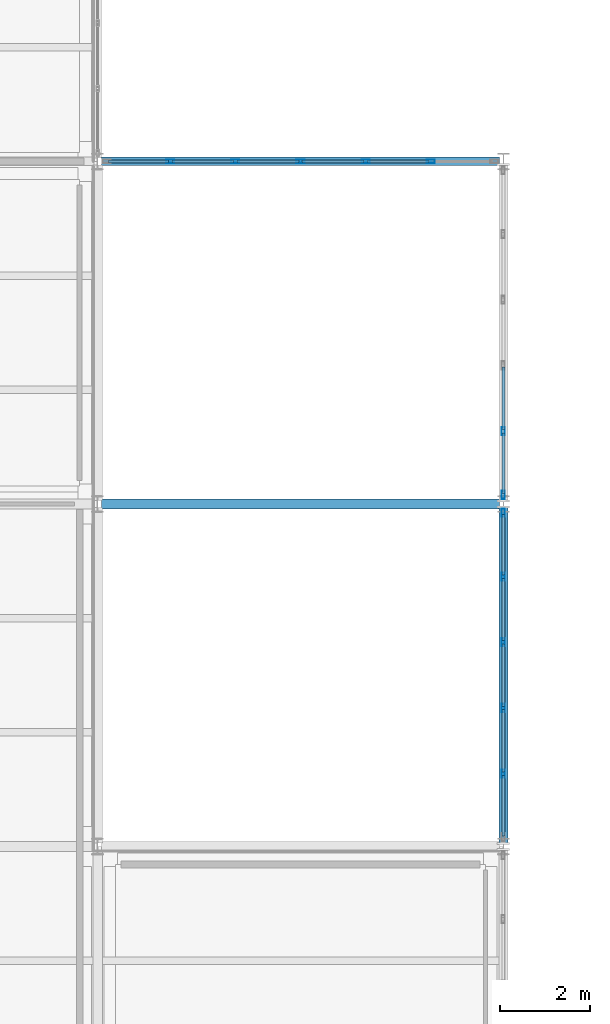
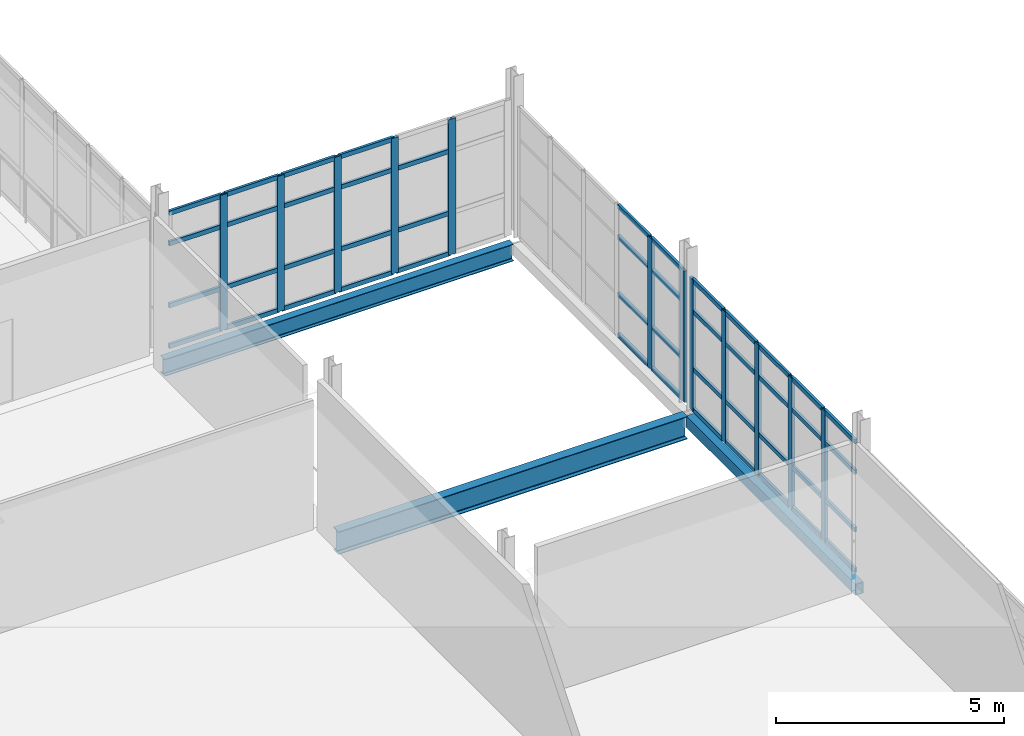
# One storey, part 61 of 174: 59 members, 3 beams, 3 elements without a shape of their own.
"""IFC4 building model written with IfcOpenShell, lengths in metres."""

from ifc_helpers import new_model, si_unit, direction, frame, origin, origin_2d, place, context, subcontext, project, spatial, hollow_rectangle, i_section, extrude, material, material_profile, profile_set, type_object, element, aggregate, save


model = new_model("IFC4")

# Units and contexts
model_context = context("Model", 3, precision=1e-05, world=origin(), true_north=direction((0.0, 1.0)))
body_context = subcontext(model_context, "Body", "Model", "MODEL_VIEW")
ifc_project = project(units=[si_unit("LENGTHUNIT", "METRE"), si_unit("AREAUNIT", "SQUARE_METRE"), si_unit("VOLUMEUNIT", "CUBIC_METRE"), si_unit("PLANEANGLEUNIT", "RADIAN"), si_unit("MASSUNIT", "GRAM", prefix="KILO")], contexts=[model_context])

# Site, building, storey
site_placement = place(None, origin())
site = spatial("IfcSite", under=ifc_project, at=site_placement, CompositionType="ELEMENT")
building_placement = place(site_placement, origin())
building = spatial("IfcBuilding", under=site, at=building_placement, Name="Caisbarro Railhouse Central Library", CompositionType="ELEMENT")
storey_placement = place(building_placement, frame((0.0, 0.0, 5.0400390625)))
storey = spatial("IfcBuildingStorey", under=building, at=storey_placement, Name="L01", CompositionType="ELEMENT", Elevation=5.0400390625)

# Beams
ifc_material_1 = material(Name="Steel ASTM A572 Grade 50", Category="steel")
ifc_material_profile_1 = material_profile(ifc_material_1, i_section(OverallWidth=0.22802734375, OverallDepth=0.60791015625, WebThickness=0.01123046875, FlangeThickness=0.017333984375, FilletRadius=0.02197265625, at=origin_2d()), Name="W610X113.0")
ifc_profile_set_1 = profile_set([ifc_material_profile_1], Name="Steel ASTM A572 Grade 50")
beam_type_1 = type_object("IfcBeamType", Name="BM-G04", PredefinedType="BEAM", material=ifc_profile_set_1)
beam_1_placement = place(storey_placement, frame((63.080078125, 53.199951171875, -0.52392578125), z_axis=(1.0, 0.0, 0.0), x_axis=(0.0, 1.0, 0.0)))
element("IfcBeam", 1, at=beam_1_placement, inside=storey, type_object=beam_type_1, Name="G04 beam L01 #816", PredefinedType="BEAM", context=body_context, shape_type="SweptSolid", body=[
    extrude(i_section(OverallWidth=0.22802734375, OverallDepth=0.60791015625, WebThickness=0.01123046875, FlangeThickness=0.017333984375, FilletRadius=0.02197265625, at=origin_2d()), origin(), (0.0, 0.0, 1.0), 8.83984375),
])
ifc_material_profile_2 = material_profile(ifc_material_1, i_section(OverallWidth=0.18994140625, OverallDepth=0.45703125, WebThickness=0.009033203125, FlangeThickness=0.014404296875, FilletRadius=0.01806640625, at=origin_2d()), Name="W460X74.0")
ifc_profile_set_2 = profile_set([ifc_material_profile_2], Name="Steel ASTM A572 Grade 50")
beam_type_2 = type_object("IfcBeamType", Name="BM-SP01", PredefinedType="SPANDREL", material=ifc_profile_set_2)
beam_2_placement = place(storey_placement, frame((63.080078125, 60.800048828125, -0.448486328125), z_axis=(1.0, 0.0, 0.0), x_axis=(0.0, 1.0, 0.0)))
element("IfcBeam", 2, at=beam_2_placement, inside=storey, type_object=beam_type_2, Name="SP01 beam L01 #824", PredefinedType="SPANDREL", context=body_context, shape_type="SweptSolid", body=[
    extrude(i_section(OverallWidth=0.18994140625, OverallDepth=0.45703125, WebThickness=0.009033203125, FlangeThickness=0.014404296875, FilletRadius=0.01806640625, at=origin_2d()), origin(), (0.0, 0.0, 1.0), 8.83984375),
])
ifc_material_profile_3 = material_profile(ifc_material_1, hollow_rectangle(XDim=0.199951171875, YDim=0.300048828125, WallThickness=0.012451171875, at=origin_2d()), Name="HSS300X200X12.5")
ifc_profile_set_3 = profile_set([ifc_material_profile_3], Name="Steel ASTM A572 Grade 50")
beam_type_3 = type_object("IfcBeamType", Name="BM-SP02", PredefinedType="SPANDREL", material=ifc_profile_set_3)
beam_3_placement = place(storey_placement, frame((72.0, 45.679931640625, -0.3701171875), z_axis=(0.0, 1.0, 0.0), x_axis=(-1.0, 0.0, 0.0)))
element("IfcBeam", 3, at=beam_3_placement, inside=storey, type_object=beam_type_3, Name="SP02 beam L01 #855", PredefinedType="SPANDREL", context=body_context, shape_type="SweptSolid", body=[
    extrude(hollow_rectangle(XDim=0.199951171875, YDim=0.300048828125, WallThickness=0.012451171875, at=origin_2d()), origin(), (0.0, 0.0, 1.0), 7.440185546875),
])

# Curtain wall, members
ifc_material_2 = material(Name="Anodised architectural aluminium", Category="aluminium")
curtain_wall_type = type_object("IfcCurtainWallType", Name="CW-CW02", PredefinedType="NOTDEFINED", material=ifc_material_2)
curtain_wall_1_placement = place(storey_placement, origin())
curtain_wall_1 = element("IfcCurtainWall", 4, at=curtain_wall_1_placement, inside=storey, type_object=curtain_wall_type, Name="CW02 curtain wall L01 #19", PredefinedType="NOTDEFINED")
ifc_material_profile_4 = material_profile(ifc_material_2, hollow_rectangle(XDim=0.074951171875, YDim=0.179931640625, WallThickness=0.00439453125, at=origin_2d()), Name="ALU-MUL-75X180")
ifc_profile_set_4 = profile_set([ifc_material_profile_4], Name="Anodised architectural aluminium")
member_type_1 = type_object("IfcMemberType", Name="CWM-M01", PredefinedType="MULLION", material=ifc_profile_set_4)
member_1_placement = place(storey_placement, frame((64.606689453125, 60.800048828125, 0.0), z_axis=(0.0, 0.0, 1.0), x_axis=(0.0, 1.0, 0.0)))
member_1 = element("IfcMember", 5, at=member_1_placement, type_object=member_type_1, Name="CW02 mullion 2", PredefinedType="MULLION", context=body_context, shape_type="SweptSolid", body=[
    extrude(hollow_rectangle(XDim=0.074951171875, YDim=0.179931640625, WallThickness=0.00439453125, at=origin_2d()), origin(), (0.0, 0.0, 1.0), 3.6298828125),
])
member_2_placement = place(storey_placement, frame((66.05322265625, 60.800048828125, 0.0), z_axis=(0.0, 0.0, 1.0), x_axis=(0.0, 1.0, 0.0)))
member_2 = element("IfcMember", 6, at=member_2_placement, type_object=member_type_1, Name="CW02 mullion 3", PredefinedType="MULLION", context=body_context, shape_type="SweptSolid", body=[
    extrude(hollow_rectangle(XDim=0.074951171875, YDim=0.179931640625, WallThickness=0.00439453125, at=origin_2d()), origin(), (0.0, 0.0, 1.0), 3.6298828125),
])
member_3_placement = place(storey_placement, frame((67.5, 60.800048828125, 0.0), z_axis=(0.0, 0.0, 1.0), x_axis=(0.0, 1.0, 0.0)))
member_3 = element("IfcMember", 7, at=member_3_placement, type_object=member_type_1, Name="CW02 mullion 4", PredefinedType="MULLION", context=body_context, shape_type="SweptSolid", body=[
    extrude(hollow_rectangle(XDim=0.074951171875, YDim=0.179931640625, WallThickness=0.00439453125, at=origin_2d()), origin(), (0.0, 0.0, 1.0), 3.6298828125),
])
member_4_placement = place(storey_placement, frame((68.94677734375, 60.800048828125, 0.0), z_axis=(0.0, 0.0, 1.0), x_axis=(0.0, 1.0, 0.0)))
member_4 = element("IfcMember", 8, at=member_4_placement, type_object=member_type_1, Name="CW02 mullion 5", PredefinedType="MULLION", context=body_context, shape_type="SweptSolid", body=[
    extrude(hollow_rectangle(XDim=0.074951171875, YDim=0.179931640625, WallThickness=0.00439453125, at=origin_2d()), origin(), (0.0, 0.0, 1.0), 3.6298828125),
])
member_5_placement = place(storey_placement, frame((70.393310546875, 60.800048828125, 0.0), z_axis=(0.0, 0.0, 1.0), x_axis=(0.0, 1.0, 0.0)))
member_5 = element("IfcMember", 9, at=member_5_placement, type_object=member_type_1, Name="CW02 mullion 6", PredefinedType="MULLION", context=body_context, shape_type="SweptSolid", body=[
    extrude(hollow_rectangle(XDim=0.074951171875, YDim=0.179931640625, WallThickness=0.00439453125, at=origin_2d()), origin(), (0.0, 0.0, 1.0), 3.6298828125),
])

curtain_wall_2_placement = place(storey_placement, origin())
curtain_wall_2 = element("IfcCurtainWall", 10, at=curtain_wall_2_placement, inside=storey, type_object=curtain_wall_type, Name="CW02 curtain wall L01 #32", PredefinedType="NOTDEFINED")
member_6_placement = place(storey_placement, frame((72.0, 47.216064453125, 0.0), z_axis=(0.0, 0.0, 1.0), x_axis=(-1.0, 0.0, 0.0)))
member_6 = element("IfcMember", 11, at=member_6_placement, type_object=member_type_1, Name="CW02 mullion 2", PredefinedType="MULLION", context=body_context, shape_type="SweptSolid", body=[
    extrude(hollow_rectangle(XDim=0.074951171875, YDim=0.179931640625, WallThickness=0.00439453125, at=origin_2d()), origin(), (0.0, 0.0, 1.0), 3.510009765625),
])
member_7_placement = place(storey_placement, frame((72.0, 48.672119140625, 0.0), z_axis=(0.0, 0.0, 1.0), x_axis=(-1.0, 0.0, 0.0)))
member_7 = element("IfcMember", 12, at=member_7_placement, type_object=member_type_1, Name="CW02 mullion 3", PredefinedType="MULLION", context=body_context, shape_type="SweptSolid", body=[
    extrude(hollow_rectangle(XDim=0.074951171875, YDim=0.179931640625, WallThickness=0.00439453125, at=origin_2d()), origin(), (0.0, 0.0, 1.0), 3.510009765625),
])
member_8_placement = place(storey_placement, frame((72.0, 50.1279296875, 0.0), z_axis=(0.0, 0.0, 1.0), x_axis=(-1.0, 0.0, 0.0)))
member_8 = element("IfcMember", 13, at=member_8_placement, type_object=member_type_1, Name="CW02 mullion 4", PredefinedType="MULLION", context=body_context, shape_type="SweptSolid", body=[
    extrude(hollow_rectangle(XDim=0.074951171875, YDim=0.179931640625, WallThickness=0.00439453125, at=origin_2d()), origin(), (0.0, 0.0, 1.0), 3.510009765625),
])
member_9_placement = place(storey_placement, frame((72.0, 51.583984375, 0.0), z_axis=(0.0, 0.0, 1.0), x_axis=(-1.0, 0.0, 0.0)))
member_9 = element("IfcMember", 14, at=member_9_placement, type_object=member_type_1, Name="CW02 mullion 5", PredefinedType="MULLION", context=body_context, shape_type="SweptSolid", body=[
    extrude(hollow_rectangle(XDim=0.074951171875, YDim=0.179931640625, WallThickness=0.00439453125, at=origin_2d()), origin(), (0.0, 0.0, 1.0), 3.510009765625),
])
member_10_placement = place(storey_placement, frame((72.0, 53.00244140625, 0.0), z_axis=(0.0, 0.0, 1.0), x_axis=(-1.0, 0.0, 0.0)))
member_10 = element("IfcMember", 15, at=member_10_placement, type_object=member_type_1, Name="CW02 mullion 6", PredefinedType="MULLION", context=body_context, shape_type="SweptSolid", body=[
    extrude(hollow_rectangle(XDim=0.074951171875, YDim=0.179931640625, WallThickness=0.00439453125, at=origin_2d()), origin(), (0.0, 0.0, 1.0), 3.510009765625),
])

curtain_wall_3_placement = place(storey_placement, origin())
curtain_wall_3 = element("IfcCurtainWall", 16, at=curtain_wall_3_placement, inside=storey, type_object=curtain_wall_type, Name="CW02 curtain wall L01 #33", PredefinedType="NOTDEFINED")
member_11_placement = place(storey_placement, frame((72.0, 53.3974609375, 0.0), z_axis=(0.0, 0.0, 1.0), x_axis=(-1.0, 0.0, 0.0)))
member_11 = element("IfcMember", 17, at=member_11_placement, type_object=member_type_1, Name="CW02 mullion 1", PredefinedType="MULLION", context=body_context, shape_type="SweptSolid", body=[
    extrude(hollow_rectangle(XDim=0.074951171875, YDim=0.179931640625, WallThickness=0.00439453125, at=origin_2d()), origin(), (0.0, 0.0, 1.0), 3.510009765625),
])
member_12_placement = place(storey_placement, frame((72.0, 54.81591796875, 0.0), z_axis=(0.0, 0.0, 1.0), x_axis=(-1.0, 0.0, 0.0)))
member_12 = element("IfcMember", 18, at=member_12_placement, type_object=member_type_1, Name="CW02 mullion 2", PredefinedType="MULLION", context=body_context, shape_type="SweptSolid", body=[
    extrude(hollow_rectangle(XDim=0.074951171875, YDim=0.179931640625, WallThickness=0.00439453125, at=origin_2d()), origin(), (0.0, 0.0, 1.0), 3.510009765625),
])

# Member
ifc_material_profile_5 = material_profile(ifc_material_2, hollow_rectangle(XDim=0.06494140625, YDim=0.1201171875, WallThickness=0.00341796875, at=origin_2d()), Name="ALU-TRN-65X120")
ifc_profile_set_5 = profile_set([ifc_material_profile_5], Name="Anodised architectural aluminium")
member_type_2 = type_object("IfcMemberType", Name="CWT-T02", PredefinedType="USERDEFINED", material=ifc_profile_set_5)
member_13_placement = place(storey_placement, frame((63.235107421875, 60.800048828125, 0.032470703125), z_axis=(1.0, 0.0, 0.0), x_axis=(0.0, 1.0, 0.0)))
member_13 = element("IfcMember", 19, at=member_13_placement, type_object=member_type_2, Name="CW02 transom 1.1", ObjectType="TRANSOM", PredefinedType="USERDEFINED", context=body_context, shape_type="SweptSolid", body=[
    extrude(hollow_rectangle(XDim=0.06494140625, YDim=0.1201171875, WallThickness=0.00341796875, at=origin_2d()), origin(), (0.0, 0.0, 1.0), 1.333984375),
])

member_14_placement = place(storey_placement, frame((63.235107421875, 60.800048828125, 1.119873046875), z_axis=(1.0, 0.0, 0.0), x_axis=(0.0, 1.0, 0.0)))
member_14 = element("IfcMember", 20, at=member_14_placement, type_object=member_type_2, Name="CW02 transom 1.2", ObjectType="TRANSOM", PredefinedType="USERDEFINED", context=body_context, shape_type="SweptSolid", body=[
    extrude(hollow_rectangle(XDim=0.06494140625, YDim=0.1201171875, WallThickness=0.00341796875, at=origin_2d()), origin(), (0.0, 0.0, 1.0), 1.333984375),
])

member_15_placement = place(storey_placement, frame((63.235107421875, 60.800048828125, 2.780029296875), z_axis=(1.0, 0.0, 0.0), x_axis=(0.0, 1.0, 0.0)))
member_15 = element("IfcMember", 21, at=member_15_placement, type_object=member_type_2, Name="CW02 transom 1.3", ObjectType="TRANSOM", PredefinedType="USERDEFINED", context=body_context, shape_type="SweptSolid", body=[
    extrude(hollow_rectangle(XDim=0.06494140625, YDim=0.1201171875, WallThickness=0.00341796875, at=origin_2d()), origin(), (0.0, 0.0, 1.0), 1.333984375),
])

member_16_placement = place(storey_placement, frame((63.235107421875, 60.800048828125, 3.597412109375), z_axis=(1.0, 0.0, 0.0), x_axis=(0.0, 1.0, 0.0)))
member_16 = element("IfcMember", 22, at=member_16_placement, type_object=member_type_2, Name="CW02 transom 1.4", ObjectType="TRANSOM", PredefinedType="USERDEFINED", context=body_context, shape_type="SweptSolid", body=[
    extrude(hollow_rectangle(XDim=0.06494140625, YDim=0.1201171875, WallThickness=0.00341796875, at=origin_2d()), origin(), (0.0, 0.0, 1.0), 1.333984375),
])

member_17_placement = place(storey_placement, frame((64.644287109375, 60.800048828125, 0.032470703125), z_axis=(1.0, 0.0, 0.0), x_axis=(0.0, 1.0, 0.0)))
member_17 = element("IfcMember", 23, at=member_17_placement, type_object=member_type_2, Name="CW02 transom 2.1", ObjectType="TRANSOM", PredefinedType="USERDEFINED", context=body_context, shape_type="SweptSolid", body=[
    extrude(hollow_rectangle(XDim=0.06494140625, YDim=0.1201171875, WallThickness=0.00341796875, at=origin_2d()), origin(), (0.0, 0.0, 1.0), 1.37158203125),
])

member_18_placement = place(storey_placement, frame((64.644287109375, 60.800048828125, 1.119873046875), z_axis=(1.0, 0.0, 0.0), x_axis=(0.0, 1.0, 0.0)))
member_18 = element("IfcMember", 24, at=member_18_placement, type_object=member_type_2, Name="CW02 transom 2.2", ObjectType="TRANSOM", PredefinedType="USERDEFINED", context=body_context, shape_type="SweptSolid", body=[
    extrude(hollow_rectangle(XDim=0.06494140625, YDim=0.1201171875, WallThickness=0.00341796875, at=origin_2d()), origin(), (0.0, 0.0, 1.0), 1.37158203125),
])

member_19_placement = place(storey_placement, frame((64.644287109375, 60.800048828125, 2.780029296875), z_axis=(1.0, 0.0, 0.0), x_axis=(0.0, 1.0, 0.0)))
member_19 = element("IfcMember", 25, at=member_19_placement, type_object=member_type_2, Name="CW02 transom 2.3", ObjectType="TRANSOM", PredefinedType="USERDEFINED", context=body_context, shape_type="SweptSolid", body=[
    extrude(hollow_rectangle(XDim=0.06494140625, YDim=0.1201171875, WallThickness=0.00341796875, at=origin_2d()), origin(), (0.0, 0.0, 1.0), 1.37158203125),
])

member_20_placement = place(storey_placement, frame((64.644287109375, 60.800048828125, 3.597412109375), z_axis=(1.0, 0.0, 0.0), x_axis=(0.0, 1.0, 0.0)))
member_20 = element("IfcMember", 26, at=member_20_placement, type_object=member_type_2, Name="CW02 transom 2.4", ObjectType="TRANSOM", PredefinedType="USERDEFINED", context=body_context, shape_type="SweptSolid", body=[
    extrude(hollow_rectangle(XDim=0.06494140625, YDim=0.1201171875, WallThickness=0.00341796875, at=origin_2d()), origin(), (0.0, 0.0, 1.0), 1.37158203125),
])

member_21_placement = place(storey_placement, frame((66.0908203125, 60.800048828125, 0.032470703125), z_axis=(1.0, 0.0, 0.0), x_axis=(0.0, 1.0, 0.0)))
member_21 = element("IfcMember", 27, at=member_21_placement, type_object=member_type_2, Name="CW02 transom 3.1", ObjectType="TRANSOM", PredefinedType="USERDEFINED", context=body_context, shape_type="SweptSolid", body=[
    extrude(hollow_rectangle(XDim=0.06494140625, YDim=0.1201171875, WallThickness=0.00341796875, at=origin_2d()), origin(), (0.0, 0.0, 1.0), 1.37158203125),
])

member_22_placement = place(storey_placement, frame((66.0908203125, 60.800048828125, 1.119873046875), z_axis=(1.0, 0.0, 0.0), x_axis=(0.0, 1.0, 0.0)))
member_22 = element("IfcMember", 28, at=member_22_placement, type_object=member_type_2, Name="CW02 transom 3.2", ObjectType="TRANSOM", PredefinedType="USERDEFINED", context=body_context, shape_type="SweptSolid", body=[
    extrude(hollow_rectangle(XDim=0.06494140625, YDim=0.1201171875, WallThickness=0.00341796875, at=origin_2d()), origin(), (0.0, 0.0, 1.0), 1.37158203125),
])

member_23_placement = place(storey_placement, frame((66.0908203125, 60.800048828125, 2.780029296875), z_axis=(1.0, 0.0, 0.0), x_axis=(0.0, 1.0, 0.0)))
member_23 = element("IfcMember", 29, at=member_23_placement, type_object=member_type_2, Name="CW02 transom 3.3", ObjectType="TRANSOM", PredefinedType="USERDEFINED", context=body_context, shape_type="SweptSolid", body=[
    extrude(hollow_rectangle(XDim=0.06494140625, YDim=0.1201171875, WallThickness=0.00341796875, at=origin_2d()), origin(), (0.0, 0.0, 1.0), 1.37158203125),
])

member_24_placement = place(storey_placement, frame((66.0908203125, 60.800048828125, 3.597412109375), z_axis=(1.0, 0.0, 0.0), x_axis=(0.0, 1.0, 0.0)))
member_24 = element("IfcMember", 30, at=member_24_placement, type_object=member_type_2, Name="CW02 transom 3.4", ObjectType="TRANSOM", PredefinedType="USERDEFINED", context=body_context, shape_type="SweptSolid", body=[
    extrude(hollow_rectangle(XDim=0.06494140625, YDim=0.1201171875, WallThickness=0.00341796875, at=origin_2d()), origin(), (0.0, 0.0, 1.0), 1.37158203125),
])

member_25_placement = place(storey_placement, frame((67.53759765625, 60.800048828125, 0.032470703125), z_axis=(1.0, 0.0, 0.0), x_axis=(0.0, 1.0, 0.0)))
member_25 = element("IfcMember", 31, at=member_25_placement, type_object=member_type_2, Name="CW02 transom 4.1", ObjectType="TRANSOM", PredefinedType="USERDEFINED", context=body_context, shape_type="SweptSolid", body=[
    extrude(hollow_rectangle(XDim=0.06494140625, YDim=0.1201171875, WallThickness=0.00341796875, at=origin_2d()), origin(), (0.0, 0.0, 1.0), 1.37158203125),
])

member_26_placement = place(storey_placement, frame((67.53759765625, 60.800048828125, 1.119873046875), z_axis=(1.0, 0.0, 0.0), x_axis=(0.0, 1.0, 0.0)))
member_26 = element("IfcMember", 32, at=member_26_placement, type_object=member_type_2, Name="CW02 transom 4.2", ObjectType="TRANSOM", PredefinedType="USERDEFINED", context=body_context, shape_type="SweptSolid", body=[
    extrude(hollow_rectangle(XDim=0.06494140625, YDim=0.1201171875, WallThickness=0.00341796875, at=origin_2d()), origin(), (0.0, 0.0, 1.0), 1.37158203125),
])

member_27_placement = place(storey_placement, frame((67.53759765625, 60.800048828125, 2.780029296875), z_axis=(1.0, 0.0, 0.0), x_axis=(0.0, 1.0, 0.0)))
member_27 = element("IfcMember", 33, at=member_27_placement, type_object=member_type_2, Name="CW02 transom 4.3", ObjectType="TRANSOM", PredefinedType="USERDEFINED", context=body_context, shape_type="SweptSolid", body=[
    extrude(hollow_rectangle(XDim=0.06494140625, YDim=0.1201171875, WallThickness=0.00341796875, at=origin_2d()), origin(), (0.0, 0.0, 1.0), 1.37158203125),
])

member_28_placement = place(storey_placement, frame((67.53759765625, 60.800048828125, 3.597412109375), z_axis=(1.0, 0.0, 0.0), x_axis=(0.0, 1.0, 0.0)))
member_28 = element("IfcMember", 34, at=member_28_placement, type_object=member_type_2, Name="CW02 transom 4.4", ObjectType="TRANSOM", PredefinedType="USERDEFINED", context=body_context, shape_type="SweptSolid", body=[
    extrude(hollow_rectangle(XDim=0.06494140625, YDim=0.1201171875, WallThickness=0.00341796875, at=origin_2d()), origin(), (0.0, 0.0, 1.0), 1.37158203125),
])

member_29_placement = place(storey_placement, frame((68.984130859375, 60.800048828125, 0.032470703125), z_axis=(1.0, 0.0, 0.0), x_axis=(0.0, 1.0, 0.0)))
member_29 = element("IfcMember", 35, at=member_29_placement, type_object=member_type_2, Name="CW02 transom 5.1", ObjectType="TRANSOM", PredefinedType="USERDEFINED", context=body_context, shape_type="SweptSolid", body=[
    extrude(hollow_rectangle(XDim=0.06494140625, YDim=0.1201171875, WallThickness=0.00341796875, at=origin_2d()), origin(), (0.0, 0.0, 1.0), 1.37158203125),
])

member_30_placement = place(storey_placement, frame((68.984130859375, 60.800048828125, 1.119873046875), z_axis=(1.0, 0.0, 0.0), x_axis=(0.0, 1.0, 0.0)))
member_30 = element("IfcMember", 36, at=member_30_placement, type_object=member_type_2, Name="CW02 transom 5.2", ObjectType="TRANSOM", PredefinedType="USERDEFINED", context=body_context, shape_type="SweptSolid", body=[
    extrude(hollow_rectangle(XDim=0.06494140625, YDim=0.1201171875, WallThickness=0.00341796875, at=origin_2d()), origin(), (0.0, 0.0, 1.0), 1.37158203125),
])

member_31_placement = place(storey_placement, frame((68.984130859375, 60.800048828125, 2.780029296875), z_axis=(1.0, 0.0, 0.0), x_axis=(0.0, 1.0, 0.0)))
member_31 = element("IfcMember", 37, at=member_31_placement, type_object=member_type_2, Name="CW02 transom 5.3", ObjectType="TRANSOM", PredefinedType="USERDEFINED", context=body_context, shape_type="SweptSolid", body=[
    extrude(hollow_rectangle(XDim=0.06494140625, YDim=0.1201171875, WallThickness=0.00341796875, at=origin_2d()), origin(), (0.0, 0.0, 1.0), 1.37158203125),
])

aggregate(curtain_wall_1, [member_1, member_2, member_3, member_4, member_5, member_13, member_14, member_15, member_16, member_17, member_18, member_19, member_20, member_21, member_22, member_23, member_24, member_25, member_26, member_27, member_28, member_29, member_30, member_31])

member_32_placement = place(storey_placement, frame((72.0, 45.8349609375, 0.032470703125), z_axis=(0.0, 1.0, 0.0), x_axis=(-1.0, 0.0, 0.0)))
member_32 = element("IfcMember", 38, at=member_32_placement, type_object=member_type_2, Name="CW02 transom 1.1", ObjectType="TRANSOM", PredefinedType="USERDEFINED", context=body_context, shape_type="SweptSolid", body=[
    extrude(hollow_rectangle(XDim=0.06494140625, YDim=0.1201171875, WallThickness=0.00341796875, at=origin_2d()), origin(), (0.0, 0.0, 1.0), 1.343505859375),
])

member_33_placement = place(storey_placement, frame((72.0, 45.8349609375, 1.119873046875), z_axis=(0.0, 1.0, 0.0), x_axis=(-1.0, 0.0, 0.0)))
member_33 = element("IfcMember", 39, at=member_33_placement, type_object=member_type_2, Name="CW02 transom 1.2", ObjectType="TRANSOM", PredefinedType="USERDEFINED", context=body_context, shape_type="SweptSolid", body=[
    extrude(hollow_rectangle(XDim=0.06494140625, YDim=0.1201171875, WallThickness=0.00341796875, at=origin_2d()), origin(), (0.0, 0.0, 1.0), 1.343505859375),
])

member_34_placement = place(storey_placement, frame((72.0, 45.8349609375, 2.659912109375), z_axis=(0.0, 1.0, 0.0), x_axis=(-1.0, 0.0, 0.0)))
member_34 = element("IfcMember", 40, at=member_34_placement, type_object=member_type_2, Name="CW02 transom 1.3", ObjectType="TRANSOM", PredefinedType="USERDEFINED", context=body_context, shape_type="SweptSolid", body=[
    extrude(hollow_rectangle(XDim=0.06494140625, YDim=0.1201171875, WallThickness=0.00341796875, at=origin_2d()), origin(), (0.0, 0.0, 1.0), 1.343505859375),
])

member_35_placement = place(storey_placement, frame((72.0, 45.8349609375, 3.4775390625), z_axis=(0.0, 1.0, 0.0), x_axis=(-1.0, 0.0, 0.0)))
member_35 = element("IfcMember", 41, at=member_35_placement, type_object=member_type_2, Name="CW02 transom 1.4", ObjectType="TRANSOM", PredefinedType="USERDEFINED", context=body_context, shape_type="SweptSolid", body=[
    extrude(hollow_rectangle(XDim=0.06494140625, YDim=0.1201171875, WallThickness=0.00341796875, at=origin_2d()), origin(), (0.0, 0.0, 1.0), 1.343505859375),
])

member_36_placement = place(storey_placement, frame((72.0, 47.25341796875, 0.032470703125), z_axis=(0.0, 1.0, 0.0), x_axis=(-1.0, 0.0, 0.0)))
member_36 = element("IfcMember", 42, at=member_36_placement, type_object=member_type_2, Name="CW02 transom 2.1", ObjectType="TRANSOM", PredefinedType="USERDEFINED", context=body_context, shape_type="SweptSolid", body=[
    extrude(hollow_rectangle(XDim=0.06494140625, YDim=0.1201171875, WallThickness=0.00341796875, at=origin_2d()), origin(), (0.0, 0.0, 1.0), 1.381103515625),
])

member_37_placement = place(storey_placement, frame((72.0, 47.25341796875, 1.119873046875), z_axis=(0.0, 1.0, 0.0), x_axis=(-1.0, 0.0, 0.0)))
member_37 = element("IfcMember", 43, at=member_37_placement, type_object=member_type_2, Name="CW02 transom 2.2", ObjectType="TRANSOM", PredefinedType="USERDEFINED", context=body_context, shape_type="SweptSolid", body=[
    extrude(hollow_rectangle(XDim=0.06494140625, YDim=0.1201171875, WallThickness=0.00341796875, at=origin_2d()), origin(), (0.0, 0.0, 1.0), 1.381103515625),
])

member_38_placement = place(storey_placement, frame((72.0, 47.25341796875, 2.659912109375), z_axis=(0.0, 1.0, 0.0), x_axis=(-1.0, 0.0, 0.0)))
member_38 = element("IfcMember", 44, at=member_38_placement, type_object=member_type_2, Name="CW02 transom 2.3", ObjectType="TRANSOM", PredefinedType="USERDEFINED", context=body_context, shape_type="SweptSolid", body=[
    extrude(hollow_rectangle(XDim=0.06494140625, YDim=0.1201171875, WallThickness=0.00341796875, at=origin_2d()), origin(), (0.0, 0.0, 1.0), 1.381103515625),
])

member_39_placement = place(storey_placement, frame((72.0, 47.25341796875, 3.4775390625), z_axis=(0.0, 1.0, 0.0), x_axis=(-1.0, 0.0, 0.0)))
member_39 = element("IfcMember", 45, at=member_39_placement, type_object=member_type_2, Name="CW02 transom 2.4", ObjectType="TRANSOM", PredefinedType="USERDEFINED", context=body_context, shape_type="SweptSolid", body=[
    extrude(hollow_rectangle(XDim=0.06494140625, YDim=0.1201171875, WallThickness=0.00341796875, at=origin_2d()), origin(), (0.0, 0.0, 1.0), 1.381103515625),
])

member_40_placement = place(storey_placement, frame((72.0, 48.70947265625, 0.032470703125), z_axis=(0.0, 1.0, 0.0), x_axis=(-1.0, 0.0, 0.0)))
member_40 = element("IfcMember", 46, at=member_40_placement, type_object=member_type_2, Name="CW02 transom 3.1", ObjectType="TRANSOM", PredefinedType="USERDEFINED", context=body_context, shape_type="SweptSolid", body=[
    extrude(hollow_rectangle(XDim=0.06494140625, YDim=0.1201171875, WallThickness=0.00341796875, at=origin_2d()), origin(), (0.0, 0.0, 1.0), 1.381103515625),
])

member_41_placement = place(storey_placement, frame((72.0, 48.70947265625, 1.119873046875), z_axis=(0.0, 1.0, 0.0), x_axis=(-1.0, 0.0, 0.0)))
member_41 = element("IfcMember", 47, at=member_41_placement, type_object=member_type_2, Name="CW02 transom 3.2", ObjectType="TRANSOM", PredefinedType="USERDEFINED", context=body_context, shape_type="SweptSolid", body=[
    extrude(hollow_rectangle(XDim=0.06494140625, YDim=0.1201171875, WallThickness=0.00341796875, at=origin_2d()), origin(), (0.0, 0.0, 1.0), 1.381103515625),
])

member_42_placement = place(storey_placement, frame((72.0, 48.70947265625, 2.659912109375), z_axis=(0.0, 1.0, 0.0), x_axis=(-1.0, 0.0, 0.0)))
member_42 = element("IfcMember", 48, at=member_42_placement, type_object=member_type_2, Name="CW02 transom 3.3", ObjectType="TRANSOM", PredefinedType="USERDEFINED", context=body_context, shape_type="SweptSolid", body=[
    extrude(hollow_rectangle(XDim=0.06494140625, YDim=0.1201171875, WallThickness=0.00341796875, at=origin_2d()), origin(), (0.0, 0.0, 1.0), 1.381103515625),
])

member_43_placement = place(storey_placement, frame((72.0, 48.70947265625, 3.4775390625), z_axis=(0.0, 1.0, 0.0), x_axis=(-1.0, 0.0, 0.0)))
member_43 = element("IfcMember", 49, at=member_43_placement, type_object=member_type_2, Name="CW02 transom 3.4", ObjectType="TRANSOM", PredefinedType="USERDEFINED", context=body_context, shape_type="SweptSolid", body=[
    extrude(hollow_rectangle(XDim=0.06494140625, YDim=0.1201171875, WallThickness=0.00341796875, at=origin_2d()), origin(), (0.0, 0.0, 1.0), 1.381103515625),
])

member_44_placement = place(storey_placement, frame((72.0, 50.16552734375, 0.032470703125), z_axis=(0.0, 1.0, 0.0), x_axis=(-1.0, 0.0, 0.0)))
member_44 = element("IfcMember", 50, at=member_44_placement, type_object=member_type_2, Name="CW02 transom 4.1", ObjectType="TRANSOM", PredefinedType="USERDEFINED", context=body_context, shape_type="SweptSolid", body=[
    extrude(hollow_rectangle(XDim=0.06494140625, YDim=0.1201171875, WallThickness=0.00341796875, at=origin_2d()), origin(), (0.0, 0.0, 1.0), 1.380859375),
])

member_45_placement = place(storey_placement, frame((72.0, 50.16552734375, 1.119873046875), z_axis=(0.0, 1.0, 0.0), x_axis=(-1.0, 0.0, 0.0)))
member_45 = element("IfcMember", 51, at=member_45_placement, type_object=member_type_2, Name="CW02 transom 4.2", ObjectType="TRANSOM", PredefinedType="USERDEFINED", context=body_context, shape_type="SweptSolid", body=[
    extrude(hollow_rectangle(XDim=0.06494140625, YDim=0.1201171875, WallThickness=0.00341796875, at=origin_2d()), origin(), (0.0, 0.0, 1.0), 1.380859375),
])

member_46_placement = place(storey_placement, frame((72.0, 50.16552734375, 2.659912109375), z_axis=(0.0, 1.0, 0.0), x_axis=(-1.0, 0.0, 0.0)))
member_46 = element("IfcMember", 52, at=member_46_placement, type_object=member_type_2, Name="CW02 transom 4.3", ObjectType="TRANSOM", PredefinedType="USERDEFINED", context=body_context, shape_type="SweptSolid", body=[
    extrude(hollow_rectangle(XDim=0.06494140625, YDim=0.1201171875, WallThickness=0.00341796875, at=origin_2d()), origin(), (0.0, 0.0, 1.0), 1.380859375),
])

member_47_placement = place(storey_placement, frame((72.0, 50.16552734375, 3.4775390625), z_axis=(0.0, 1.0, 0.0), x_axis=(-1.0, 0.0, 0.0)))
member_47 = element("IfcMember", 53, at=member_47_placement, type_object=member_type_2, Name="CW02 transom 4.4", ObjectType="TRANSOM", PredefinedType="USERDEFINED", context=body_context, shape_type="SweptSolid", body=[
    extrude(hollow_rectangle(XDim=0.06494140625, YDim=0.1201171875, WallThickness=0.00341796875, at=origin_2d()), origin(), (0.0, 0.0, 1.0), 1.380859375),
])

member_48_placement = place(storey_placement, frame((72.0, 51.62158203125, 0.032470703125), z_axis=(0.0, 1.0, 0.0), x_axis=(-1.0, 0.0, 0.0)))
member_48 = element("IfcMember", 54, at=member_48_placement, type_object=member_type_2, Name="CW02 transom 5.1", ObjectType="TRANSOM", PredefinedType="USERDEFINED", context=body_context, shape_type="SweptSolid", body=[
    extrude(hollow_rectangle(XDim=0.06494140625, YDim=0.1201171875, WallThickness=0.00341796875, at=origin_2d()), origin(), (0.0, 0.0, 1.0), 1.343505859375),
])

member_49_placement = place(storey_placement, frame((72.0, 51.62158203125, 1.119873046875), z_axis=(0.0, 1.0, 0.0), x_axis=(-1.0, 0.0, 0.0)))
member_49 = element("IfcMember", 55, at=member_49_placement, type_object=member_type_2, Name="CW02 transom 5.2", ObjectType="TRANSOM", PredefinedType="USERDEFINED", context=body_context, shape_type="SweptSolid", body=[
    extrude(hollow_rectangle(XDim=0.06494140625, YDim=0.1201171875, WallThickness=0.00341796875, at=origin_2d()), origin(), (0.0, 0.0, 1.0), 1.343505859375),
])

member_50_placement = place(storey_placement, frame((72.0, 51.62158203125, 2.659912109375), z_axis=(0.0, 1.0, 0.0), x_axis=(-1.0, 0.0, 0.0)))
member_50 = element("IfcMember", 56, at=member_50_placement, type_object=member_type_2, Name="CW02 transom 5.3", ObjectType="TRANSOM", PredefinedType="USERDEFINED", context=body_context, shape_type="SweptSolid", body=[
    extrude(hollow_rectangle(XDim=0.06494140625, YDim=0.1201171875, WallThickness=0.00341796875, at=origin_2d()), origin(), (0.0, 0.0, 1.0), 1.343505859375),
])

member_51_placement = place(storey_placement, frame((72.0, 51.62158203125, 3.4775390625), z_axis=(0.0, 1.0, 0.0), x_axis=(-1.0, 0.0, 0.0)))
member_51 = element("IfcMember", 57, at=member_51_placement, type_object=member_type_2, Name="CW02 transom 5.4", ObjectType="TRANSOM", PredefinedType="USERDEFINED", context=body_context, shape_type="SweptSolid", body=[
    extrude(hollow_rectangle(XDim=0.06494140625, YDim=0.1201171875, WallThickness=0.00341796875, at=origin_2d()), origin(), (0.0, 0.0, 1.0), 1.343505859375),
])

aggregate(curtain_wall_2, [member_6, member_7, member_8, member_9, member_10, member_32, member_33, member_34, member_35, member_36, member_37, member_38, member_39, member_40, member_41, member_42, member_43, member_44, member_45, member_46, member_47, member_48, member_49, member_50, member_51])

member_52_placement = place(storey_placement, frame((72.0, 53.43505859375, 0.032470703125), z_axis=(0.0, 1.0, 0.0), x_axis=(-1.0, 0.0, 0.0)))
member_52 = element("IfcMember", 58, at=member_52_placement, type_object=member_type_2, Name="CW02 transom 1.1", ObjectType="TRANSOM", PredefinedType="USERDEFINED", context=body_context, shape_type="SweptSolid", body=[
    extrude(hollow_rectangle(XDim=0.06494140625, YDim=0.1201171875, WallThickness=0.00341796875, at=origin_2d()), origin(), (0.0, 0.0, 1.0), 1.343505859375),
])

member_53_placement = place(storey_placement, frame((72.0, 53.43505859375, 1.119873046875), z_axis=(0.0, 1.0, 0.0), x_axis=(-1.0, 0.0, 0.0)))
member_53 = element("IfcMember", 59, at=member_53_placement, type_object=member_type_2, Name="CW02 transom 1.2", ObjectType="TRANSOM", PredefinedType="USERDEFINED", context=body_context, shape_type="SweptSolid", body=[
    extrude(hollow_rectangle(XDim=0.06494140625, YDim=0.1201171875, WallThickness=0.00341796875, at=origin_2d()), origin(), (0.0, 0.0, 1.0), 1.343505859375),
])

member_54_placement = place(storey_placement, frame((72.0, 53.43505859375, 2.659912109375), z_axis=(0.0, 1.0, 0.0), x_axis=(-1.0, 0.0, 0.0)))
member_54 = element("IfcMember", 60, at=member_54_placement, type_object=member_type_2, Name="CW02 transom 1.3", ObjectType="TRANSOM", PredefinedType="USERDEFINED", context=body_context, shape_type="SweptSolid", body=[
    extrude(hollow_rectangle(XDim=0.06494140625, YDim=0.1201171875, WallThickness=0.00341796875, at=origin_2d()), origin(), (0.0, 0.0, 1.0), 1.343505859375),
])

member_55_placement = place(storey_placement, frame((72.0, 53.43505859375, 3.4775390625), z_axis=(0.0, 1.0, 0.0), x_axis=(-1.0, 0.0, 0.0)))
member_55 = element("IfcMember", 61, at=member_55_placement, type_object=member_type_2, Name="CW02 transom 1.4", ObjectType="TRANSOM", PredefinedType="USERDEFINED", context=body_context, shape_type="SweptSolid", body=[
    extrude(hollow_rectangle(XDim=0.06494140625, YDim=0.1201171875, WallThickness=0.00341796875, at=origin_2d()), origin(), (0.0, 0.0, 1.0), 1.343505859375),
])

member_56_placement = place(storey_placement, frame((72.0, 54.853515625, 0.032470703125), z_axis=(0.0, 1.0, 0.0), x_axis=(-1.0, 0.0, 0.0)))
member_56 = element("IfcMember", 62, at=member_56_placement, type_object=member_type_2, Name="CW02 transom 2.1", ObjectType="TRANSOM", PredefinedType="USERDEFINED", context=body_context, shape_type="SweptSolid", body=[
    extrude(hollow_rectangle(XDim=0.06494140625, YDim=0.1201171875, WallThickness=0.00341796875, at=origin_2d()), origin(), (0.0, 0.0, 1.0), 1.381103515625),
])

member_57_placement = place(storey_placement, frame((72.0, 54.853515625, 1.119873046875), z_axis=(0.0, 1.0, 0.0), x_axis=(-1.0, 0.0, 0.0)))
member_57 = element("IfcMember", 63, at=member_57_placement, type_object=member_type_2, Name="CW02 transom 2.2", ObjectType="TRANSOM", PredefinedType="USERDEFINED", context=body_context, shape_type="SweptSolid", body=[
    extrude(hollow_rectangle(XDim=0.06494140625, YDim=0.1201171875, WallThickness=0.00341796875, at=origin_2d()), origin(), (0.0, 0.0, 1.0), 1.381103515625),
])

member_58_placement = place(storey_placement, frame((72.0, 54.853515625, 2.659912109375), z_axis=(0.0, 1.0, 0.0), x_axis=(-1.0, 0.0, 0.0)))
member_58 = element("IfcMember", 64, at=member_58_placement, type_object=member_type_2, Name="CW02 transom 2.3", ObjectType="TRANSOM", PredefinedType="USERDEFINED", context=body_context, shape_type="SweptSolid", body=[
    extrude(hollow_rectangle(XDim=0.06494140625, YDim=0.1201171875, WallThickness=0.00341796875, at=origin_2d()), origin(), (0.0, 0.0, 1.0), 1.381103515625),
])

member_59_placement = place(storey_placement, frame((72.0, 54.853515625, 3.4775390625), z_axis=(0.0, 1.0, 0.0), x_axis=(-1.0, 0.0, 0.0)))
member_59 = element("IfcMember", 65, at=member_59_placement, type_object=member_type_2, Name="CW02 transom 2.4", ObjectType="TRANSOM", PredefinedType="USERDEFINED", context=body_context, shape_type="SweptSolid", body=[
    extrude(hollow_rectangle(XDim=0.06494140625, YDim=0.1201171875, WallThickness=0.00341796875, at=origin_2d()), origin(), (0.0, 0.0, 1.0), 1.381103515625),
])

aggregate(curtain_wall_3, [member_11, member_12, member_52, member_53, member_54, member_55, member_56, member_57, member_58, member_59])

save(model, "model.ifc")
